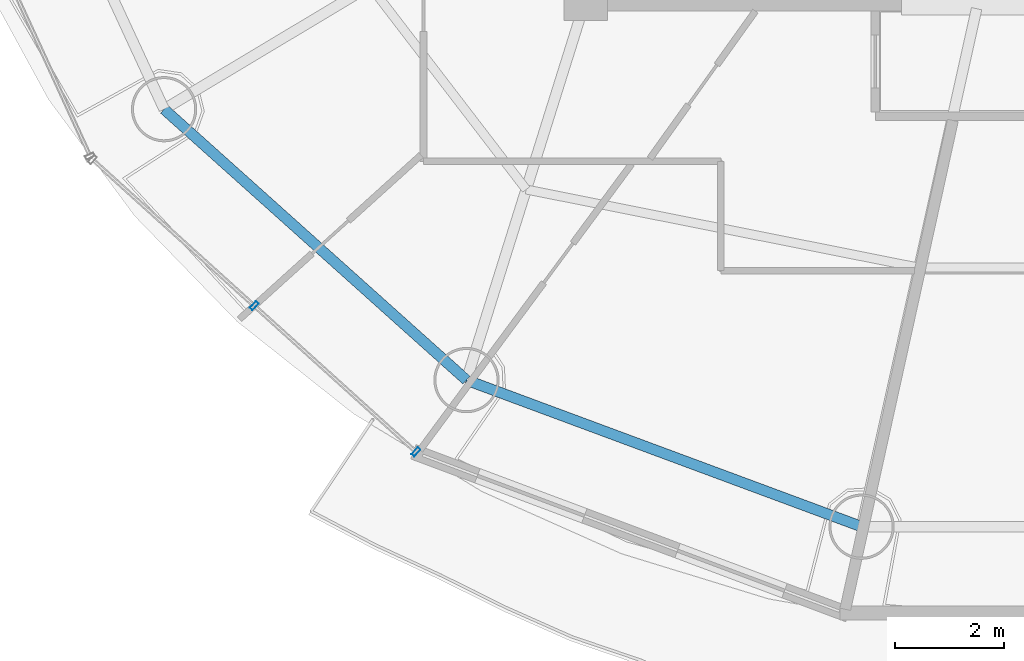
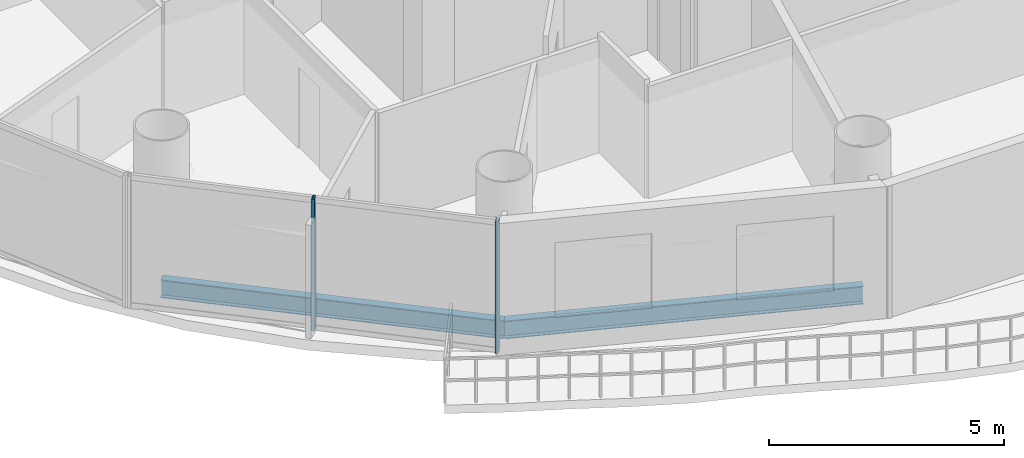
# One storey, part 2 of 26: 2 beams, 2 members, 1 element without a shape of its own.
"""IFC4 building model written with IfcOpenShell, lengths in metres."""

from ifc_helpers import new_model, si_unit, direction, frame, origin, origin_2d, place, context, subcontext, project, spatial, hollow_rectangle, i_section, extrude, source, transform, mapped, material, material_profile, profile_set, type_object, element, aggregate, save


model = new_model("IFC4")

# Units and contexts
model_context = context("Model", 3, precision=1e-05, world=origin(), true_north=direction((-0.2419218956, 0.970295726276)))
body_context = subcontext(model_context, "Body", "Model", "MODEL_VIEW")
ifc_project = project(units=[si_unit("LENGTHUNIT", "METRE"), si_unit("AREAUNIT", "SQUARE_METRE"), si_unit("VOLUMEUNIT", "CUBIC_METRE"), si_unit("PLANEANGLEUNIT", "RADIAN"), si_unit("MASSUNIT", "GRAM", prefix="KILO")], contexts=[model_context])

# Site, building, storey
site_placement = place(None, origin())
site = spatial("IfcSite", under=ifc_project, at=site_placement, CompositionType="ELEMENT")
building_placement = place(site_placement, origin())
building = spatial("IfcBuilding", under=site, at=building_placement, Name="Cobrevalo Terracotta Tower", CompositionType="ELEMENT")
storey_placement = place(building_placement, frame((0.0, 0.0, 220.800048828125)))
storey = spatial("IfcBuildingStorey", under=building, at=storey_placement, Name="L58", CompositionType="ELEMENT", Elevation=220.800048828125)

# Beams
ifc_material_1 = material(Name="Steel S355", Category="steel")
ifc_material_profile_1 = material_profile(ifc_material_1, i_section(OverallWidth=0.194091796875, OverallDepth=0.468994140625, WebThickness=0.011474609375, FlangeThickness=0.0205078125, at=origin_2d()), Name="W 460x106")
ifc_profile_set_1 = profile_set([ifc_material_profile_1], Name="Steel S355")
beam_type = type_object("IfcBeamType", Name="Structural Spandrel W 460x106 (Steel S355)", PredefinedType="SPANDREL", material=ifc_profile_set_1)
beam_1_placement = place(storey_placement, frame((21.245849609375, 16.77197265625, -0.49951171875), z_axis=(0.744851930997, -0.667229796165, 0.0), x_axis=(0.667229796165, 0.744851930997, 0.0)))
element("IfcBeam", 1, at=beam_1_placement, inside=storey, type_object=beam_type, Name="L58 perimeter ring spandrel 10", PredefinedType="SPANDREL", context=body_context, shape_type="SweptSolid", body=[
    extrude(i_section(OverallWidth=0.194091796875, OverallDepth=0.468994140625, WebThickness=0.011474609375, FlangeThickness=0.0205078125, at=origin_2d()), origin(), (0.0, 0.0, 1.0), 7.463623046875),
])
beam_2_placement = place(storey_placement, frame((26.80517578125, 11.7919921875, -0.49951171875), z_axis=(0.937545996665, -0.347861328892, 0.0), x_axis=(0.347861328892, 0.937545996665, 0.0)))
element("IfcBeam", 2, at=beam_2_placement, inside=storey, type_object=beam_type, Name="L58 perimeter ring spandrel 11", PredefinedType="SPANDREL", context=body_context, shape_type="SweptSolid", body=[
    extrude(i_section(OverallWidth=0.194091796875, OverallDepth=0.468994140625, WebThickness=0.011474609375, FlangeThickness=0.0205078125, at=origin_2d()), origin(), (0.0, 0.0, 1.0), 7.74755859375),
])

# Curtain wall, members
ifc_material_2 = material(Name="Anodized aluminium", Category="aluminium")
curtain_wall_type = type_object("IfcCurtainWallType", Name="Mid-tower high-wind unitised curtain wall CW-U2", PredefinedType="NOTDEFINED", material=ifc_material_2)
curtain_wall_placement = place(storey_placement, origin())
curtain_wall = element("IfcCurtainWall", 3, at=curtain_wall_placement, inside=storey, type_object=curtain_wall_type, Name="L58 curtain wall CW-L58-S10", PredefinedType="NOTDEFINED")
ifc_material_profile_2 = material_profile(ifc_material_2, hollow_rectangle(XDim=0.070068359375, YDim=0.169921875, WallThickness=0.00439453125, at=origin_2d()), Name="CWM 70x170")
ifc_profile_set_2 = profile_set([ifc_material_profile_2], Name="Anodized aluminium")
member_type = type_object("IfcMemberType", Name="Upper tower unitised mullion 70x170", PredefinedType="MULLION", material=ifc_profile_set_2)
shared_shape = source(origin(), body_context, "Body", "SweptSolid", [
    extrude(hollow_rectangle(XDim=0.070068359375, YDim=0.169921875, WallThickness=0.00439453125, at=origin_2d()), origin(), (0.0, 0.0, 1.0), 3.43505859375),
])
member_1_placement = place(storey_placement, frame((22.902099609375, 13.158447265625, 0.0), z_axis=(0.0, 0.0, 1.0), x_axis=(0.741987542015, -0.670413668935, 0.0)))
member_1 = element("IfcMember", 4, at=member_1_placement, type_object=member_type, Name="CW-L58-S10 vertical mullion 02", PredefinedType="MULLION", context=body_context, shape_type="MappedRepresentation", body=[
    mapped(shared_shape, transform((0.0, 0.0, 0.0), scale=1.0)),
])
member_2_placement = place(storey_placement, frame((25.87548828125, 10.471923828125, 0.0), z_axis=(0.0, 0.0, 1.0), x_axis=(0.741987542015, -0.670413668935, 0.0)))
member_2 = element("IfcMember", 5, at=member_2_placement, type_object=member_type, Name="CW-L58-S10 vertical mullion 03", PredefinedType="MULLION", context=body_context, shape_type="MappedRepresentation", body=[
    mapped(shared_shape, transform((0.0, 0.0, 0.0), scale=1.0)),
])
aggregate(curtain_wall, [member_1, member_2])

save(model, "model.ifc")
